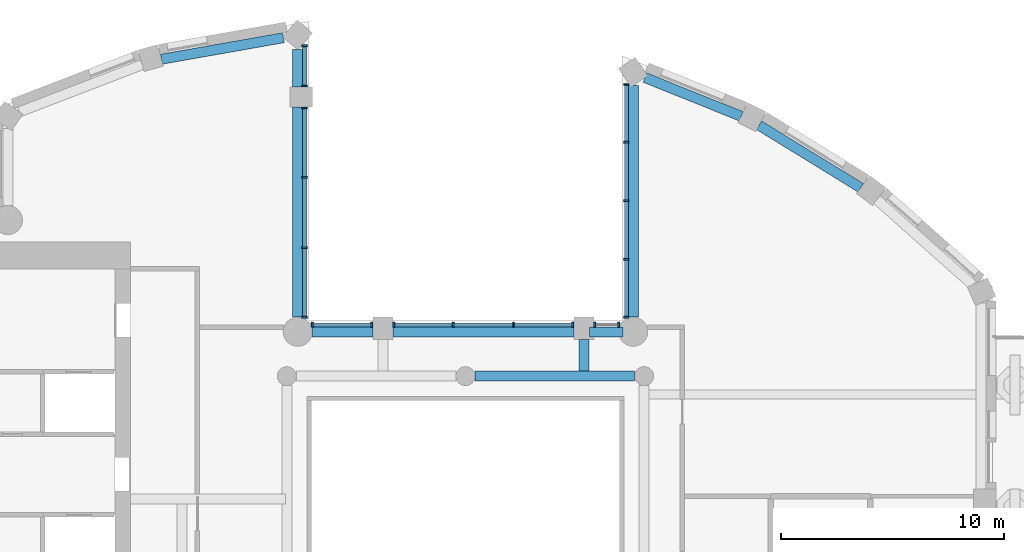
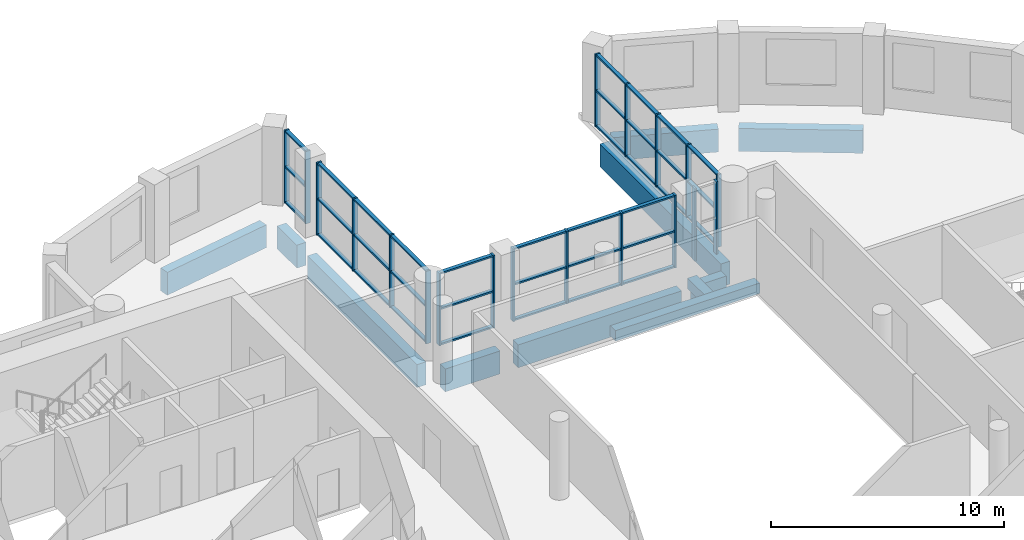
# One storey, part 2 of 14: 55 members, 11 beams, 6 elements without a shape of their own.
"""IFC4 building model written with IfcOpenShell, lengths in metres."""

from ifc_helpers import new_model, si_unit, direction, frame, origin, origin_2d, place, context, subcontext, project, spatial, rectangle, extrude, material, material_profile, profile_set, type_object, element, aggregate, save


model = new_model("IFC4")

# Units and contexts
model_context = context("Model", 3, precision=1e-05, world=origin(), true_north=direction((0.0, 1.0)))
body_context = subcontext(model_context, "Body", "Model", "MODEL_VIEW")
ifc_project = project(units=[si_unit("LENGTHUNIT", "METRE"), si_unit("AREAUNIT", "SQUARE_METRE"), si_unit("VOLUMEUNIT", "CUBIC_METRE"), si_unit("PLANEANGLEUNIT", "RADIAN"), si_unit("MASSUNIT", "GRAM", prefix="KILO")], contexts=[model_context])

# Site, building, storey
site_placement = place(None, origin())
site = spatial("IfcSite", under=ifc_project, at=site_placement, CompositionType="ELEMENT")
building_placement = place(site_placement, origin())
building = spatial("IfcBuilding", under=site, at=building_placement, Name="Cypress Arch Tower", CompositionType="ELEMENT")
storey_placement = place(building_placement, frame((0.0, 0.0, 276.199951171875)))
storey = spatial("IfcBuildingStorey", under=building, at=storey_placement, Name="L62", CompositionType="ELEMENT", Elevation=276.199951171875)

# Beams
ifc_material_1 = material(Name="Concrete C50/60", Category="concrete")
ifc_material_profile_1 = material_profile(ifc_material_1, rectangle(XDim=0.449951171875, YDim=0.550048828125, at=origin_2d()), Name="RC 450x550")
ifc_profile_set_1 = profile_set([ifc_material_profile_1], Name="Concrete C50/60")
beam_type_1 = type_object("IfcBeamType", Name="Floor beam RC 450x550 Concrete C50/60", PredefinedType="BEAM", material=ifc_profile_set_1)
beam_1_placement = place(storey_placement, frame((1.425048828125, 10.0, -0.574951171875), z_axis=(1.0, 0.0, 0.0), x_axis=(0.0, 1.0, 0.0)))
element("IfcBeam", 1, at=beam_1_placement, inside=storey, type_object=beam_type_1, Name="Floor beam L62 RB008", PredefinedType="BEAM", context=body_context, shape_type="SweptSolid", body=[
    extrude(rectangle(XDim=0.449951171875, YDim=0.550048828125, at=origin_2d()), origin(), (0.0, 0.0, 1.0), 7.14990234375),
])
beam_2_placement = place(storey_placement, frame((6.300048828125, 10.22509765625, -0.574951171875), z_axis=(0.0, 1.0, 0.0), x_axis=(-1.0, 0.0, 0.0)))
element("IfcBeam", 2, at=beam_2_placement, inside=storey, type_object=beam_type_1, Name="Floor beam L62 FB013", PredefinedType="BEAM", context=body_context, shape_type="SweptSolid", body=[
    extrude(rectangle(XDim=0.449951171875, YDim=0.550048828125, at=origin_2d()), origin(), (0.0, 0.0, 1.0), 1.4248046875),
])

# Curtain wall, members
ifc_material_2 = material(Name="Anodised aluminium, bronze finish, clear laminated double glazing", Category="aluminium")
curtain_wall_type = type_object("IfcCurtainWallType", Name="Curtain wall CW7 slot glazing", PredefinedType="NOTDEFINED", material=ifc_material_2)
curtain_wall_1_placement = place(storey_placement, origin())
curtain_wall_1 = element("IfcCurtainWall", 3, at=curtain_wall_1_placement, inside=storey, type_object=curtain_wall_type, Name="Curtain wall L62 slot C00.0", PredefinedType="NOTDEFINED")
ifc_material_3 = material(Name="Anodised aluminium, bronze finish", Category="aluminium")
ifc_material_profile_2 = material_profile(ifc_material_3, rectangle(XDim=0.239990234375, YDim=0.0849609375, at=origin_2d()), Name="Mullion 85x240")
ifc_profile_set_2 = profile_set([ifc_material_profile_2], Name="Anodised aluminium, bronze finish")
member_type_1 = type_object("IfcMemberType", Name="Mullion CW7 85x240", PredefinedType="MULLION", material=ifc_profile_set_2)
member_1_placement = place(storey_placement, frame((8.199951171875, 23.060302734375, 0.0), z_axis=(0.0, 0.0, 1.0), x_axis=(1.0, 0.0, 0.0)))
member_1 = element("IfcMember", 4, at=member_1_placement, type_object=member_type_1, Name="CW7 mullion 1", PredefinedType="MULLION", context=body_context, shape_type="SweptSolid", body=[
    extrude(rectangle(XDim=0.239990234375, YDim=0.0849609375, at=origin_2d()), origin(), (0.0, 0.0, 1.0), 3.800048828125),
])
member_2_placement = place(storey_placement, frame((8.199951171875, 20.477294921875, 0.0), z_axis=(0.0, 0.0, 1.0), x_axis=(1.0, 0.0, 0.0)))
member_2 = element("IfcMember", 5, at=member_2_placement, type_object=member_type_1, Name="CW7 mullion 2", PredefinedType="MULLION", context=body_context, shape_type="SweptSolid", body=[
    extrude(rectangle(XDim=0.239990234375, YDim=0.0849609375, at=origin_2d()), origin(), (0.0, 0.0, 1.0), 3.800048828125),
])
member_3_placement = place(storey_placement, frame((8.199951171875, 17.85205078125, 0.0), z_axis=(0.0, 0.0, 1.0), x_axis=(1.0, 0.0, 0.0)))
member_3 = element("IfcMember", 6, at=member_3_placement, type_object=member_type_1, Name="CW7 mullion 3", PredefinedType="MULLION", context=body_context, shape_type="SweptSolid", body=[
    extrude(rectangle(XDim=0.239990234375, YDim=0.0849609375, at=origin_2d()), origin(), (0.0, 0.0, 1.0), 3.800048828125),
])
member_4_placement = place(storey_placement, frame((8.199951171875, 15.226806640625, 0.0), z_axis=(0.0, 0.0, 1.0), x_axis=(1.0, 0.0, 0.0)))
member_4 = element("IfcMember", 7, at=member_4_placement, type_object=member_type_1, Name="CW7 mullion 4", PredefinedType="MULLION", context=body_context, shape_type="SweptSolid", body=[
    extrude(rectangle(XDim=0.239990234375, YDim=0.0849609375, at=origin_2d()), origin(), (0.0, 0.0, 1.0), 3.800048828125),
])
member_5_placement = place(storey_placement, frame((8.199951171875, 12.64404296875, 0.0), z_axis=(0.0, 0.0, 1.0), x_axis=(1.0, 0.0, 0.0)))
member_5 = element("IfcMember", 8, at=member_5_placement, type_object=member_type_1, Name="CW7 mullion 5", PredefinedType="MULLION", context=body_context, shape_type="SweptSolid", body=[
    extrude(rectangle(XDim=0.239990234375, YDim=0.0849609375, at=origin_2d()), origin(), (0.0, 0.0, 1.0), 3.800048828125),
])

curtain_wall_2_placement = place(storey_placement, origin())
curtain_wall_2 = element("IfcCurtainWall", 9, at=curtain_wall_2_placement, inside=storey, type_object=curtain_wall_type, Name="Curtain wall L62 slot C01.0", PredefinedType="NOTDEFINED")
member_6_placement = place(storey_placement, frame((7.85595703125, 12.300048828125, 0.0), z_axis=(0.0, 0.0, 1.0), x_axis=(0.0, -1.0, 0.0)))
member_6 = element("IfcMember", 10, at=member_6_placement, type_object=member_type_1, Name="CW7 mullion 1", PredefinedType="MULLION", context=body_context, shape_type="SweptSolid", body=[
    extrude(rectangle(XDim=0.239990234375, YDim=0.0849609375, at=origin_2d()), origin(), (0.0, 0.0, 1.0), 3.800048828125),
])
member_7_placement = place(storey_placement, frame((6.79248046875, 12.300048828125, 0.0), z_axis=(0.0, 0.0, 1.0), x_axis=(0.0, -1.0, 0.0)))
member_7 = element("IfcMember", 11, at=member_7_placement, type_object=member_type_1, Name="CW7 mullion 2", PredefinedType="MULLION", context=body_context, shape_type="SweptSolid", body=[
    extrude(rectangle(XDim=0.239990234375, YDim=0.0849609375, at=origin_2d()), origin(), (0.0, 0.0, 1.0), 3.800048828125),
])
aggregate(curtain_wall_2, [member_6, member_7])

curtain_wall_3_placement = place(storey_placement, origin())
curtain_wall_3 = element("IfcCurtainWall", 12, at=curtain_wall_3_placement, inside=storey, type_object=curtain_wall_type, Name="Curtain wall L62 slot C01.1", PredefinedType="NOTDEFINED")
member_8_placement = place(storey_placement, frame((5.8076171875, 12.300048828125, 0.0), z_axis=(0.0, 0.0, 1.0), x_axis=(0.0, -1.0, 0.0)))
member_8 = element("IfcMember", 13, at=member_8_placement, type_object=member_type_1, Name="CW7 mullion 1", PredefinedType="MULLION", context=body_context, shape_type="SweptSolid", body=[
    extrude(rectangle(XDim=0.239990234375, YDim=0.0849609375, at=origin_2d()), origin(), (0.0, 0.0, 1.0), 3.800048828125),
])
member_9_placement = place(storey_placement, frame((3.14990234375, 12.300048828125, 0.0), z_axis=(0.0, 0.0, 1.0), x_axis=(0.0, -1.0, 0.0)))
member_9 = element("IfcMember", 14, at=member_9_placement, type_object=member_type_1, Name="CW7 mullion 2", PredefinedType="MULLION", context=body_context, shape_type="SweptSolid", body=[
    extrude(rectangle(XDim=0.239990234375, YDim=0.0849609375, at=origin_2d()), origin(), (0.0, 0.0, 1.0), 3.800048828125),
])
member_10_placement = place(storey_placement, frame((0.449951171875, 12.300048828125, 0.0), z_axis=(0.0, 0.0, 1.0), x_axis=(0.0, -1.0, 0.0)))
member_10 = element("IfcMember", 15, at=member_10_placement, type_object=member_type_1, Name="CW7 mullion 3", PredefinedType="MULLION", context=body_context, shape_type="SweptSolid", body=[
    extrude(rectangle(XDim=0.239990234375, YDim=0.0849609375, at=origin_2d()), origin(), (0.0, 0.0, 1.0), 3.800048828125),
])
member_11_placement = place(storey_placement, frame((-2.20751953125, 12.300048828125, 0.0), z_axis=(0.0, 0.0, 1.0), x_axis=(0.0, -1.0, 0.0)))
member_11 = element("IfcMember", 16, at=member_11_placement, type_object=member_type_1, Name="CW7 mullion 4", PredefinedType="MULLION", context=body_context, shape_type="SweptSolid", body=[
    extrude(rectangle(XDim=0.239990234375, YDim=0.0849609375, at=origin_2d()), origin(), (0.0, 0.0, 1.0), 3.800048828125),
])

curtain_wall_4_placement = place(storey_placement, origin())
curtain_wall_4 = element("IfcCurtainWall", 17, at=curtain_wall_4_placement, inside=storey, type_object=curtain_wall_type, Name="Curtain wall L62 slot C01.2", PredefinedType="NOTDEFINED")
member_12_placement = place(storey_placement, frame((-3.1923828125, 12.300048828125, 0.0), z_axis=(0.0, 0.0, 1.0), x_axis=(0.0, -1.0, 0.0)))
member_12 = element("IfcMember", 18, at=member_12_placement, type_object=member_type_1, Name="CW7 mullion 1", PredefinedType="MULLION", context=body_context, shape_type="SweptSolid", body=[
    extrude(rectangle(XDim=0.239990234375, YDim=0.0849609375, at=origin_2d()), origin(), (0.0, 0.0, 1.0), 3.800048828125),
])
member_13_placement = place(storey_placement, frame((-5.85595703125, 12.300048828125, 0.0), z_axis=(0.0, 0.0, 1.0), x_axis=(0.0, -1.0, 0.0)))
member_13 = element("IfcMember", 19, at=member_13_placement, type_object=member_type_1, Name="CW7 mullion 2", PredefinedType="MULLION", context=body_context, shape_type="SweptSolid", body=[
    extrude(rectangle(XDim=0.239990234375, YDim=0.0849609375, at=origin_2d()), origin(), (0.0, 0.0, 1.0), 3.800048828125),
])

curtain_wall_5_placement = place(storey_placement, origin())
curtain_wall_5 = element("IfcCurtainWall", 20, at=curtain_wall_5_placement, inside=storey, type_object=curtain_wall_type, Name="Curtain wall L62 slot C02.0", PredefinedType="NOTDEFINED")
member_14_placement = place(storey_placement, frame((-6.199951171875, 12.64404296875, 0.0), z_axis=(0.0, 0.0, 1.0), x_axis=(-1.0, 0.0, 0.0)))
member_14 = element("IfcMember", 21, at=member_14_placement, type_object=member_type_1, Name="CW7 mullion 1", PredefinedType="MULLION", context=body_context, shape_type="SweptSolid", body=[
    extrude(rectangle(XDim=0.239990234375, YDim=0.0849609375, at=origin_2d()), origin(), (0.0, 0.0, 1.0), 3.800048828125),
])
member_15_placement = place(storey_placement, frame((-6.199951171875, 15.7509765625, 0.0), z_axis=(0.0, 0.0, 1.0), x_axis=(-1.0, 0.0, 0.0)))
member_15 = element("IfcMember", 22, at=member_15_placement, type_object=member_type_1, Name="CW7 mullion 2", PredefinedType="MULLION", context=body_context, shape_type="SweptSolid", body=[
    extrude(rectangle(XDim=0.239990234375, YDim=0.0849609375, at=origin_2d()), origin(), (0.0, 0.0, 1.0), 3.800048828125),
])
member_16_placement = place(storey_placement, frame((-6.199951171875, 18.900390625, 0.0), z_axis=(0.0, 0.0, 1.0), x_axis=(-1.0, 0.0, 0.0)))
member_16 = element("IfcMember", 23, at=member_16_placement, type_object=member_type_1, Name="CW7 mullion 3", PredefinedType="MULLION", context=body_context, shape_type="SweptSolid", body=[
    extrude(rectangle(XDim=0.239990234375, YDim=0.0849609375, at=origin_2d()), origin(), (0.0, 0.0, 1.0), 3.800048828125),
])
member_17_placement = place(storey_placement, frame((-6.199951171875, 22.007568359375, 0.0), z_axis=(0.0, 0.0, 1.0), x_axis=(-1.0, 0.0, 0.0)))
member_17 = element("IfcMember", 24, at=member_17_placement, type_object=member_type_1, Name="CW7 mullion 4", PredefinedType="MULLION", context=body_context, shape_type="SweptSolid", body=[
    extrude(rectangle(XDim=0.239990234375, YDim=0.0849609375, at=origin_2d()), origin(), (0.0, 0.0, 1.0), 3.800048828125),
])

curtain_wall_6_placement = place(storey_placement, origin())
curtain_wall_6 = element("IfcCurtainWall", 25, at=curtain_wall_6_placement, inside=storey, type_object=curtain_wall_type, Name="Curtain wall L62 slot C02.1", PredefinedType="NOTDEFINED")
member_18_placement = place(storey_placement, frame((-6.199951171875, 22.992431640625, 0.0), z_axis=(0.0, 0.0, 1.0), x_axis=(-1.0, 0.0, 0.0)))
member_18 = element("IfcMember", 26, at=member_18_placement, type_object=member_type_1, Name="CW7 mullion 1", PredefinedType="MULLION", context=body_context, shape_type="SweptSolid", body=[
    extrude(rectangle(XDim=0.239990234375, YDim=0.0849609375, at=origin_2d()), origin(), (0.0, 0.0, 1.0), 3.800048828125),
])
member_19_placement = place(storey_placement, frame((-6.199951171875, 24.789794921875, 0.0), z_axis=(0.0, 0.0, 1.0), x_axis=(-1.0, 0.0, 0.0)))
member_19 = element("IfcMember", 27, at=member_19_placement, type_object=member_type_1, Name="CW7 mullion 2", PredefinedType="MULLION", context=body_context, shape_type="SweptSolid", body=[
    extrude(rectangle(XDim=0.239990234375, YDim=0.0849609375, at=origin_2d()), origin(), (0.0, 0.0, 1.0), 3.800048828125),
])

# Beams
ifc_material_4 = material(Name="Concrete C50/60", Category="concrete")
ifc_material_profile_3 = material_profile(ifc_material_4, rectangle(XDim=0.449951171875, YDim=1.199951171875, at=origin_2d()), Name="RC 450x1200")
ifc_profile_set_3 = profile_set([ifc_material_profile_3], Name="Concrete C50/60")
beam_type_2 = type_object("IfcBeamType", Name="Spandrel beam RC 450x1200 Concrete C50/60", PredefinedType="SPANDREL", material=ifc_profile_set_3)
beam_3_placement = place(storey_placement, frame((8.52490234375, 23.017578125, -1.550048828125), z_axis=(0.0, -1.0, 0.0), x_axis=(1.0, 0.0, 0.0)))
element("IfcBeam", 28, at=beam_3_placement, inside=storey, type_object=beam_type_2, Name="Spandrel beam L62 BC00-0", PredefinedType="SPANDREL", context=body_context, shape_type="SweptSolid", body=[
    extrude(rectangle(XDim=0.449951171875, YDim=1.199951171875, at=origin_2d()), origin(), (0.0, 0.0, 1.0), 10.380126953125),
])
beam_4_placement = place(storey_placement, frame((8.05615234375, 11.97509765625, -1.550048828125), z_axis=(-1.0, 0.0, 0.0), x_axis=(0.0, -1.0, 0.0)))
element("IfcBeam", 29, at=beam_4_placement, inside=storey, type_object=beam_type_2, Name="Spandrel beam L62 BC01-0", PredefinedType="SPANDREL", context=body_context, shape_type="SweptSolid", body=[
    extrude(rectangle(XDim=0.449951171875, YDim=1.199951171875, at=origin_2d()), origin(), (0.0, 0.0, 1.0), 1.5),
])
beam_5_placement = place(storey_placement, frame((5.85009765625, 11.97509765625, -1.550048828125), z_axis=(-1.0, 0.0, 0.0), x_axis=(0.0, -1.0, 0.0)))
element("IfcBeam", 30, at=beam_5_placement, inside=storey, type_object=beam_type_2, Name="Spandrel beam L62 BC01-1", PredefinedType="SPANDREL", context=body_context, shape_type="SweptSolid", body=[
    extrude(rectangle(XDim=0.449951171875, YDim=1.199951171875, at=origin_2d()), origin(), (0.0, 0.0, 1.0), 8.10009765625),
])
beam_6_placement = place(storey_placement, frame((-3.14990234375, 11.97509765625, -1.550048828125), z_axis=(-1.0, 0.0, 0.0), x_axis=(0.0, -1.0, 0.0)))
element("IfcBeam", 31, at=beam_6_placement, inside=storey, type_object=beam_type_2, Name="Spandrel beam L62 BC01-2", PredefinedType="SPANDREL", context=body_context, shape_type="SweptSolid", body=[
    extrude(rectangle(XDim=0.449951171875, YDim=1.199951171875, at=origin_2d()), origin(), (0.0, 0.0, 1.0), 2.712646484375),
])
beam_7_placement = place(storey_placement, frame((-6.52490234375, 12.637451171875, -1.550048828125), z_axis=(0.0, 1.0, 0.0), x_axis=(-1.0, 0.0, 0.0)))
element("IfcBeam", 32, at=beam_7_placement, inside=storey, type_object=beam_type_2, Name="Spandrel beam L62 BC02-0", PredefinedType="SPANDREL", context=body_context, shape_type="SweptSolid", body=[
    extrude(rectangle(XDim=0.449951171875, YDim=1.199951171875, at=origin_2d()), origin(), (0.0, 0.0, 1.0), 9.41259765625),
])
beam_8_placement = place(storey_placement, frame((-6.52490234375, 22.949951171875, -1.550048828125), z_axis=(0.0, 1.0, 0.0), x_axis=(-1.0, 0.0, 0.0)))
element("IfcBeam", 33, at=beam_8_placement, inside=storey, type_object=beam_type_2, Name="Spandrel beam L62 BC02-1", PredefinedType="SPANDREL", context=body_context, shape_type="SweptSolid", body=[
    extrude(rectangle(XDim=0.449951171875, YDim=1.199951171875, at=origin_2d()), origin(), (0.0, 0.0, 1.0), 1.6796875),
])
beam_9_placement = place(storey_placement, frame((-7.14990234375, 25.154052734375, -1.550048828125), z_axis=(-0.984800388539, -0.173689938494, 0.0), x_axis=(0.173689938494, -0.984800388539, 0.0)))
element("IfcBeam", 34, at=beam_9_placement, inside=storey, type_object=beam_type_2, Name="Spandrel beam L62 BC03-0", PredefinedType="SPANDREL", context=body_context, shape_type="SweptSolid", body=[
    extrude(rectangle(XDim=0.449951171875, YDim=1.199951171875, at=origin_2d()), origin(), (0.0, 0.0, 1.0), 5.5478515625),
])
beam_10_placement = place(storey_placement, frame((18.700927734375, 18.43359375, -1.550048828125), z_axis=(-0.851880940975, 0.523735488966, 0.0), x_axis=(-0.523735488966, -0.851880940975, 0.0)))
element("IfcBeam", 35, at=beam_10_placement, inside=storey, type_object=beam_type_2, Name="Spandrel beam L62 BC19-0", PredefinedType="SPANDREL", context=body_context, shape_type="SweptSolid", body=[
    extrude(rectangle(XDim=0.449951171875, YDim=1.199951171875, at=origin_2d()), origin(), (0.0, 0.0, 1.0), 5.344970703125),
])
beam_11_placement = place(storey_placement, frame((13.343994140625, 21.6376953125, -1.550048828125), z_axis=(-0.92793836678, 0.372733668263, 0.0), x_axis=(-0.372733668263, -0.92793836678, 0.0)))
element("IfcBeam", 36, at=beam_11_placement, inside=storey, type_object=beam_type_2, Name="Spandrel beam L62 BC20-0", PredefinedType="SPANDREL", context=body_context, shape_type="SweptSolid", body=[
    extrude(rectangle(XDim=0.449951171875, YDim=1.199951171875, at=origin_2d()), origin(), (0.0, 0.0, 1.0), 4.637451171875),
])

# Member
ifc_material_5 = material(Name="Anodised aluminium, bronze finish", Category="aluminium")
ifc_material_profile_4 = material_profile(ifc_material_5, rectangle(XDim=0.179931640625, YDim=0.0849609375, at=origin_2d()), Name="Transom 85x180")
ifc_profile_set_4 = profile_set([ifc_material_profile_4], Name="Anodised aluminium, bronze finish")
member_type_2 = type_object("IfcMemberType", Name="Transom CW7 85x180", PredefinedType="USERDEFINED", material=ifc_profile_set_4)
member_20_placement = place(storey_placement, frame((8.199951171875, 23.017578125, 0.04248046875), z_axis=(0.0, -1.0, 0.0), x_axis=(1.0, 0.0, 0.0)))
member_20 = element("IfcMember", 37, at=member_20_placement, type_object=member_type_2, Name="CW7 transom 1.1", ObjectType="TRANSOM", PredefinedType="USERDEFINED", context=body_context, shape_type="SweptSolid", body=[
    extrude(rectangle(XDim=0.179931640625, YDim=0.0849609375, at=origin_2d()), origin(), (0.0, 0.0, 1.0), 2.497802734375),
])

member_21_placement = place(storey_placement, frame((8.199951171875, 23.017578125, 1.900146484375), z_axis=(0.0, -1.0, 0.0), x_axis=(1.0, 0.0, 0.0)))
member_21 = element("IfcMember", 38, at=member_21_placement, type_object=member_type_2, Name="CW7 transom 1.2", ObjectType="TRANSOM", PredefinedType="USERDEFINED", context=body_context, shape_type="SweptSolid", body=[
    extrude(rectangle(XDim=0.179931640625, YDim=0.0849609375, at=origin_2d()), origin(), (0.0, 0.0, 1.0), 2.497802734375),
])

member_22_placement = place(storey_placement, frame((8.199951171875, 23.017578125, 3.757568359375), z_axis=(0.0, -1.0, 0.0), x_axis=(1.0, 0.0, 0.0)))
member_22 = element("IfcMember", 39, at=member_22_placement, type_object=member_type_2, Name="CW7 transom 1.3", ObjectType="TRANSOM", PredefinedType="USERDEFINED", context=body_context, shape_type="SweptSolid", body=[
    extrude(rectangle(XDim=0.179931640625, YDim=0.0849609375, at=origin_2d()), origin(), (0.0, 0.0, 1.0), 2.497802734375),
])

member_23_placement = place(storey_placement, frame((8.199951171875, 20.434814453125, 0.04248046875), z_axis=(0.0, -1.0, 0.0), x_axis=(1.0, 0.0, 0.0)))
member_23 = element("IfcMember", 40, at=member_23_placement, type_object=member_type_2, Name="CW7 transom 2.1", ObjectType="TRANSOM", PredefinedType="USERDEFINED", context=body_context, shape_type="SweptSolid", body=[
    extrude(rectangle(XDim=0.179931640625, YDim=0.0849609375, at=origin_2d()), origin(), (0.0, 0.0, 1.0), 2.540283203125),
])

member_24_placement = place(storey_placement, frame((8.199951171875, 20.434814453125, 1.900146484375), z_axis=(0.0, -1.0, 0.0), x_axis=(1.0, 0.0, 0.0)))
member_24 = element("IfcMember", 41, at=member_24_placement, type_object=member_type_2, Name="CW7 transom 2.2", ObjectType="TRANSOM", PredefinedType="USERDEFINED", context=body_context, shape_type="SweptSolid", body=[
    extrude(rectangle(XDim=0.179931640625, YDim=0.0849609375, at=origin_2d()), origin(), (0.0, 0.0, 1.0), 2.540283203125),
])

member_25_placement = place(storey_placement, frame((8.199951171875, 20.434814453125, 3.757568359375), z_axis=(0.0, -1.0, 0.0), x_axis=(1.0, 0.0, 0.0)))
member_25 = element("IfcMember", 42, at=member_25_placement, type_object=member_type_2, Name="CW7 transom 2.3", ObjectType="TRANSOM", PredefinedType="USERDEFINED", context=body_context, shape_type="SweptSolid", body=[
    extrude(rectangle(XDim=0.179931640625, YDim=0.0849609375, at=origin_2d()), origin(), (0.0, 0.0, 1.0), 2.540283203125),
])

member_26_placement = place(storey_placement, frame((8.199951171875, 17.8095703125, 0.04248046875), z_axis=(0.0, -1.0, 0.0), x_axis=(1.0, 0.0, 0.0)))
member_26 = element("IfcMember", 43, at=member_26_placement, type_object=member_type_2, Name="CW7 transom 3.1", ObjectType="TRANSOM", PredefinedType="USERDEFINED", context=body_context, shape_type="SweptSolid", body=[
    extrude(rectangle(XDim=0.179931640625, YDim=0.0849609375, at=origin_2d()), origin(), (0.0, 0.0, 1.0), 2.540283203125),
])

member_27_placement = place(storey_placement, frame((8.199951171875, 17.8095703125, 1.900146484375), z_axis=(0.0, -1.0, 0.0), x_axis=(1.0, 0.0, 0.0)))
member_27 = element("IfcMember", 44, at=member_27_placement, type_object=member_type_2, Name="CW7 transom 3.2", ObjectType="TRANSOM", PredefinedType="USERDEFINED", context=body_context, shape_type="SweptSolid", body=[
    extrude(rectangle(XDim=0.179931640625, YDim=0.0849609375, at=origin_2d()), origin(), (0.0, 0.0, 1.0), 2.540283203125),
])

member_28_placement = place(storey_placement, frame((8.199951171875, 17.8095703125, 3.757568359375), z_axis=(0.0, -1.0, 0.0), x_axis=(1.0, 0.0, 0.0)))
member_28 = element("IfcMember", 45, at=member_28_placement, type_object=member_type_2, Name="CW7 transom 3.3", ObjectType="TRANSOM", PredefinedType="USERDEFINED", context=body_context, shape_type="SweptSolid", body=[
    extrude(rectangle(XDim=0.179931640625, YDim=0.0849609375, at=origin_2d()), origin(), (0.0, 0.0, 1.0), 2.540283203125),
])

member_29_placement = place(storey_placement, frame((8.199951171875, 15.184326171875, 0.04248046875), z_axis=(0.0, -1.0, 0.0), x_axis=(1.0, 0.0, 0.0)))
member_29 = element("IfcMember", 46, at=member_29_placement, type_object=member_type_2, Name="CW7 transom 4.1", ObjectType="TRANSOM", PredefinedType="USERDEFINED", context=body_context, shape_type="SweptSolid", body=[
    extrude(rectangle(XDim=0.179931640625, YDim=0.0849609375, at=origin_2d()), origin(), (0.0, 0.0, 1.0), 2.497802734375),
])

member_30_placement = place(storey_placement, frame((8.199951171875, 15.184326171875, 1.900146484375), z_axis=(0.0, -1.0, 0.0), x_axis=(1.0, 0.0, 0.0)))
member_30 = element("IfcMember", 47, at=member_30_placement, type_object=member_type_2, Name="CW7 transom 4.2", ObjectType="TRANSOM", PredefinedType="USERDEFINED", context=body_context, shape_type="SweptSolid", body=[
    extrude(rectangle(XDim=0.179931640625, YDim=0.0849609375, at=origin_2d()), origin(), (0.0, 0.0, 1.0), 2.497802734375),
])

member_31_placement = place(storey_placement, frame((8.199951171875, 15.184326171875, 3.757568359375), z_axis=(0.0, -1.0, 0.0), x_axis=(1.0, 0.0, 0.0)))
member_31 = element("IfcMember", 48, at=member_31_placement, type_object=member_type_2, Name="CW7 transom 4.3", ObjectType="TRANSOM", PredefinedType="USERDEFINED", context=body_context, shape_type="SweptSolid", body=[
    extrude(rectangle(XDim=0.179931640625, YDim=0.0849609375, at=origin_2d()), origin(), (0.0, 0.0, 1.0), 2.497802734375),
])

aggregate(curtain_wall_1, [member_1, member_2, member_3, member_4, member_5, member_20, member_21, member_22, member_23, member_24, member_25, member_26, member_27, member_28, member_29, member_30, member_31])

member_32_placement = place(storey_placement, frame((5.764892578125, 12.300048828125, 0.04248046875), z_axis=(-1.0, 0.0, 0.0), x_axis=(0.0, -1.0, 0.0)))
member_32 = element("IfcMember", 49, at=member_32_placement, type_object=member_type_2, Name="CW7 transom 1.1", ObjectType="TRANSOM", PredefinedType="USERDEFINED", context=body_context, shape_type="SweptSolid", body=[
    extrude(rectangle(XDim=0.179931640625, YDim=0.0849609375, at=origin_2d()), origin(), (0.0, 0.0, 1.0), 2.572509765625),
])

member_33_placement = place(storey_placement, frame((5.764892578125, 12.300048828125, 1.900146484375), z_axis=(-1.0, 0.0, 0.0), x_axis=(0.0, -1.0, 0.0)))
member_33 = element("IfcMember", 50, at=member_33_placement, type_object=member_type_2, Name="CW7 transom 1.2", ObjectType="TRANSOM", PredefinedType="USERDEFINED", context=body_context, shape_type="SweptSolid", body=[
    extrude(rectangle(XDim=0.179931640625, YDim=0.0849609375, at=origin_2d()), origin(), (0.0, 0.0, 1.0), 2.572509765625),
])

member_34_placement = place(storey_placement, frame((5.764892578125, 12.300048828125, 3.757568359375), z_axis=(-1.0, 0.0, 0.0), x_axis=(0.0, -1.0, 0.0)))
member_34 = element("IfcMember", 51, at=member_34_placement, type_object=member_type_2, Name="CW7 transom 1.3", ObjectType="TRANSOM", PredefinedType="USERDEFINED", context=body_context, shape_type="SweptSolid", body=[
    extrude(rectangle(XDim=0.179931640625, YDim=0.0849609375, at=origin_2d()), origin(), (0.0, 0.0, 1.0), 2.572509765625),
])

member_35_placement = place(storey_placement, frame((3.107421875, 12.300048828125, 0.04248046875), z_axis=(-1.0, 0.0, 0.0), x_axis=(0.0, -1.0, 0.0)))
member_35 = element("IfcMember", 52, at=member_35_placement, type_object=member_type_2, Name="CW7 transom 2.1", ObjectType="TRANSOM", PredefinedType="USERDEFINED", context=body_context, shape_type="SweptSolid", body=[
    extrude(rectangle(XDim=0.179931640625, YDim=0.0849609375, at=origin_2d()), origin(), (0.0, 0.0, 1.0), 2.614990234375),
])

member_36_placement = place(storey_placement, frame((3.107421875, 12.300048828125, 1.900146484375), z_axis=(-1.0, 0.0, 0.0), x_axis=(0.0, -1.0, 0.0)))
member_36 = element("IfcMember", 53, at=member_36_placement, type_object=member_type_2, Name="CW7 transom 2.2", ObjectType="TRANSOM", PredefinedType="USERDEFINED", context=body_context, shape_type="SweptSolid", body=[
    extrude(rectangle(XDim=0.179931640625, YDim=0.0849609375, at=origin_2d()), origin(), (0.0, 0.0, 1.0), 2.614990234375),
])

member_37_placement = place(storey_placement, frame((3.107421875, 12.300048828125, 3.757568359375), z_axis=(-1.0, 0.0, 0.0), x_axis=(0.0, -1.0, 0.0)))
member_37 = element("IfcMember", 54, at=member_37_placement, type_object=member_type_2, Name="CW7 transom 2.3", ObjectType="TRANSOM", PredefinedType="USERDEFINED", context=body_context, shape_type="SweptSolid", body=[
    extrude(rectangle(XDim=0.179931640625, YDim=0.0849609375, at=origin_2d()), origin(), (0.0, 0.0, 1.0), 2.614990234375),
])

member_38_placement = place(storey_placement, frame((0.407470703125, 12.300048828125, 0.04248046875), z_axis=(-1.0, 0.0, 0.0), x_axis=(0.0, -1.0, 0.0)))
member_38 = element("IfcMember", 55, at=member_38_placement, type_object=member_type_2, Name="CW7 transom 3.1", ObjectType="TRANSOM", PredefinedType="USERDEFINED", context=body_context, shape_type="SweptSolid", body=[
    extrude(rectangle(XDim=0.179931640625, YDim=0.0849609375, at=origin_2d()), origin(), (0.0, 0.0, 1.0), 2.572509765625),
])

member_39_placement = place(storey_placement, frame((0.407470703125, 12.300048828125, 1.900146484375), z_axis=(-1.0, 0.0, 0.0), x_axis=(0.0, -1.0, 0.0)))
member_39 = element("IfcMember", 56, at=member_39_placement, type_object=member_type_2, Name="CW7 transom 3.2", ObjectType="TRANSOM", PredefinedType="USERDEFINED", context=body_context, shape_type="SweptSolid", body=[
    extrude(rectangle(XDim=0.179931640625, YDim=0.0849609375, at=origin_2d()), origin(), (0.0, 0.0, 1.0), 2.572509765625),
])

member_40_placement = place(storey_placement, frame((0.407470703125, 12.300048828125, 3.757568359375), z_axis=(-1.0, 0.0, 0.0), x_axis=(0.0, -1.0, 0.0)))
member_40 = element("IfcMember", 57, at=member_40_placement, type_object=member_type_2, Name="CW7 transom 3.3", ObjectType="TRANSOM", PredefinedType="USERDEFINED", context=body_context, shape_type="SweptSolid", body=[
    extrude(rectangle(XDim=0.179931640625, YDim=0.0849609375, at=origin_2d()), origin(), (0.0, 0.0, 1.0), 2.572509765625),
])

aggregate(curtain_wall_3, [member_8, member_9, member_10, member_11, member_32, member_33, member_34, member_35, member_36, member_37, member_38, member_39, member_40])

member_41_placement = place(storey_placement, frame((-3.235107421875, 12.300048828125, 0.04248046875), z_axis=(-1.0, 0.0, 0.0), x_axis=(0.0, -1.0, 0.0)))
member_41 = element("IfcMember", 58, at=member_41_placement, type_object=member_type_2, Name="CW7 transom 1.1", ObjectType="TRANSOM", PredefinedType="USERDEFINED", context=body_context, shape_type="SweptSolid", body=[
    extrude(rectangle(XDim=0.179931640625, YDim=0.0849609375, at=origin_2d()), origin(), (0.0, 0.0, 1.0), 2.578369140625),
])

member_42_placement = place(storey_placement, frame((-3.235107421875, 12.300048828125, 1.900146484375), z_axis=(-1.0, 0.0, 0.0), x_axis=(0.0, -1.0, 0.0)))
member_42 = element("IfcMember", 59, at=member_42_placement, type_object=member_type_2, Name="CW7 transom 1.2", ObjectType="TRANSOM", PredefinedType="USERDEFINED", context=body_context, shape_type="SweptSolid", body=[
    extrude(rectangle(XDim=0.179931640625, YDim=0.0849609375, at=origin_2d()), origin(), (0.0, 0.0, 1.0), 2.578369140625),
])

member_43_placement = place(storey_placement, frame((-3.235107421875, 12.300048828125, 3.757568359375), z_axis=(-1.0, 0.0, 0.0), x_axis=(0.0, -1.0, 0.0)))
member_43 = element("IfcMember", 60, at=member_43_placement, type_object=member_type_2, Name="CW7 transom 1.3", ObjectType="TRANSOM", PredefinedType="USERDEFINED", context=body_context, shape_type="SweptSolid", body=[
    extrude(rectangle(XDim=0.179931640625, YDim=0.0849609375, at=origin_2d()), origin(), (0.0, 0.0, 1.0), 2.578369140625),
])

aggregate(curtain_wall_4, [member_12, member_13, member_41, member_42, member_43])

member_44_placement = place(storey_placement, frame((-6.199951171875, 12.6865234375, 0.04248046875), z_axis=(0.0, 1.0, 0.0), x_axis=(-1.0, 0.0, 0.0)))
member_44 = element("IfcMember", 61, at=member_44_placement, type_object=member_type_2, Name="CW7 transom 1.1", ObjectType="TRANSOM", PredefinedType="USERDEFINED", context=body_context, shape_type="SweptSolid", body=[
    extrude(rectangle(XDim=0.179931640625, YDim=0.0849609375, at=origin_2d()), origin(), (0.0, 0.0, 1.0), 3.02197265625),
])

member_45_placement = place(storey_placement, frame((-6.199951171875, 12.6865234375, 1.900146484375), z_axis=(0.0, 1.0, 0.0), x_axis=(-1.0, 0.0, 0.0)))
member_45 = element("IfcMember", 62, at=member_45_placement, type_object=member_type_2, Name="CW7 transom 1.2", ObjectType="TRANSOM", PredefinedType="USERDEFINED", context=body_context, shape_type="SweptSolid", body=[
    extrude(rectangle(XDim=0.179931640625, YDim=0.0849609375, at=origin_2d()), origin(), (0.0, 0.0, 1.0), 3.02197265625),
])

member_46_placement = place(storey_placement, frame((-6.199951171875, 12.6865234375, 3.757568359375), z_axis=(0.0, 1.0, 0.0), x_axis=(-1.0, 0.0, 0.0)))
member_46 = element("IfcMember", 63, at=member_46_placement, type_object=member_type_2, Name="CW7 transom 1.3", ObjectType="TRANSOM", PredefinedType="USERDEFINED", context=body_context, shape_type="SweptSolid", body=[
    extrude(rectangle(XDim=0.179931640625, YDim=0.0849609375, at=origin_2d()), origin(), (0.0, 0.0, 1.0), 3.02197265625),
])

member_47_placement = place(storey_placement, frame((-6.199951171875, 15.79345703125, 0.04248046875), z_axis=(0.0, 1.0, 0.0), x_axis=(-1.0, 0.0, 0.0)))
member_47 = element("IfcMember", 64, at=member_47_placement, type_object=member_type_2, Name="CW7 transom 2.1", ObjectType="TRANSOM", PredefinedType="USERDEFINED", context=body_context, shape_type="SweptSolid", body=[
    extrude(rectangle(XDim=0.179931640625, YDim=0.0849609375, at=origin_2d()), origin(), (0.0, 0.0, 1.0), 3.064453125),
])

member_48_placement = place(storey_placement, frame((-6.199951171875, 15.79345703125, 1.900146484375), z_axis=(0.0, 1.0, 0.0), x_axis=(-1.0, 0.0, 0.0)))
member_48 = element("IfcMember", 65, at=member_48_placement, type_object=member_type_2, Name="CW7 transom 2.2", ObjectType="TRANSOM", PredefinedType="USERDEFINED", context=body_context, shape_type="SweptSolid", body=[
    extrude(rectangle(XDim=0.179931640625, YDim=0.0849609375, at=origin_2d()), origin(), (0.0, 0.0, 1.0), 3.064453125),
])

member_49_placement = place(storey_placement, frame((-6.199951171875, 15.79345703125, 3.757568359375), z_axis=(0.0, 1.0, 0.0), x_axis=(-1.0, 0.0, 0.0)))
member_49 = element("IfcMember", 66, at=member_49_placement, type_object=member_type_2, Name="CW7 transom 2.3", ObjectType="TRANSOM", PredefinedType="USERDEFINED", context=body_context, shape_type="SweptSolid", body=[
    extrude(rectangle(XDim=0.179931640625, YDim=0.0849609375, at=origin_2d()), origin(), (0.0, 0.0, 1.0), 3.064453125),
])

member_50_placement = place(storey_placement, frame((-6.199951171875, 18.943115234375, 0.04248046875), z_axis=(0.0, 1.0, 0.0), x_axis=(-1.0, 0.0, 0.0)))
member_50 = element("IfcMember", 67, at=member_50_placement, type_object=member_type_2, Name="CW7 transom 3.1", ObjectType="TRANSOM", PredefinedType="USERDEFINED", context=body_context, shape_type="SweptSolid", body=[
    extrude(rectangle(XDim=0.179931640625, YDim=0.0849609375, at=origin_2d()), origin(), (0.0, 0.0, 1.0), 3.02197265625),
])

member_51_placement = place(storey_placement, frame((-6.199951171875, 18.943115234375, 1.900146484375), z_axis=(0.0, 1.0, 0.0), x_axis=(-1.0, 0.0, 0.0)))
member_51 = element("IfcMember", 68, at=member_51_placement, type_object=member_type_2, Name="CW7 transom 3.2", ObjectType="TRANSOM", PredefinedType="USERDEFINED", context=body_context, shape_type="SweptSolid", body=[
    extrude(rectangle(XDim=0.179931640625, YDim=0.0849609375, at=origin_2d()), origin(), (0.0, 0.0, 1.0), 3.02197265625),
])

member_52_placement = place(storey_placement, frame((-6.199951171875, 18.943115234375, 3.757568359375), z_axis=(0.0, 1.0, 0.0), x_axis=(-1.0, 0.0, 0.0)))
member_52 = element("IfcMember", 69, at=member_52_placement, type_object=member_type_2, Name="CW7 transom 3.3", ObjectType="TRANSOM", PredefinedType="USERDEFINED", context=body_context, shape_type="SweptSolid", body=[
    extrude(rectangle(XDim=0.179931640625, YDim=0.0849609375, at=origin_2d()), origin(), (0.0, 0.0, 1.0), 3.02197265625),
])

aggregate(curtain_wall_5, [member_14, member_15, member_16, member_17, member_44, member_45, member_46, member_47, member_48, member_49, member_50, member_51, member_52])

member_53_placement = place(storey_placement, frame((-6.199951171875, 23.034912109375, 0.04248046875), z_axis=(0.0, 1.0, 0.0), x_axis=(-1.0, 0.0, 0.0)))
member_53 = element("IfcMember", 70, at=member_53_placement, type_object=member_type_2, Name="CW7 transom 1.1", ObjectType="TRANSOM", PredefinedType="USERDEFINED", context=body_context, shape_type="SweptSolid", body=[
    extrude(rectangle(XDim=0.179931640625, YDim=0.0849609375, at=origin_2d()), origin(), (0.0, 0.0, 1.0), 1.71240234375),
])

member_54_placement = place(storey_placement, frame((-6.199951171875, 23.034912109375, 1.900146484375), z_axis=(0.0, 1.0, 0.0), x_axis=(-1.0, 0.0, 0.0)))
member_54 = element("IfcMember", 71, at=member_54_placement, type_object=member_type_2, Name="CW7 transom 1.2", ObjectType="TRANSOM", PredefinedType="USERDEFINED", context=body_context, shape_type="SweptSolid", body=[
    extrude(rectangle(XDim=0.179931640625, YDim=0.0849609375, at=origin_2d()), origin(), (0.0, 0.0, 1.0), 1.71240234375),
])

member_55_placement = place(storey_placement, frame((-6.199951171875, 23.034912109375, 3.757568359375), z_axis=(0.0, 1.0, 0.0), x_axis=(-1.0, 0.0, 0.0)))
member_55 = element("IfcMember", 72, at=member_55_placement, type_object=member_type_2, Name="CW7 transom 1.3", ObjectType="TRANSOM", PredefinedType="USERDEFINED", context=body_context, shape_type="SweptSolid", body=[
    extrude(rectangle(XDim=0.179931640625, YDim=0.0849609375, at=origin_2d()), origin(), (0.0, 0.0, 1.0), 1.71240234375),
])

aggregate(curtain_wall_6, [member_18, member_19, member_53, member_54, member_55])

save(model, "model.ifc")
